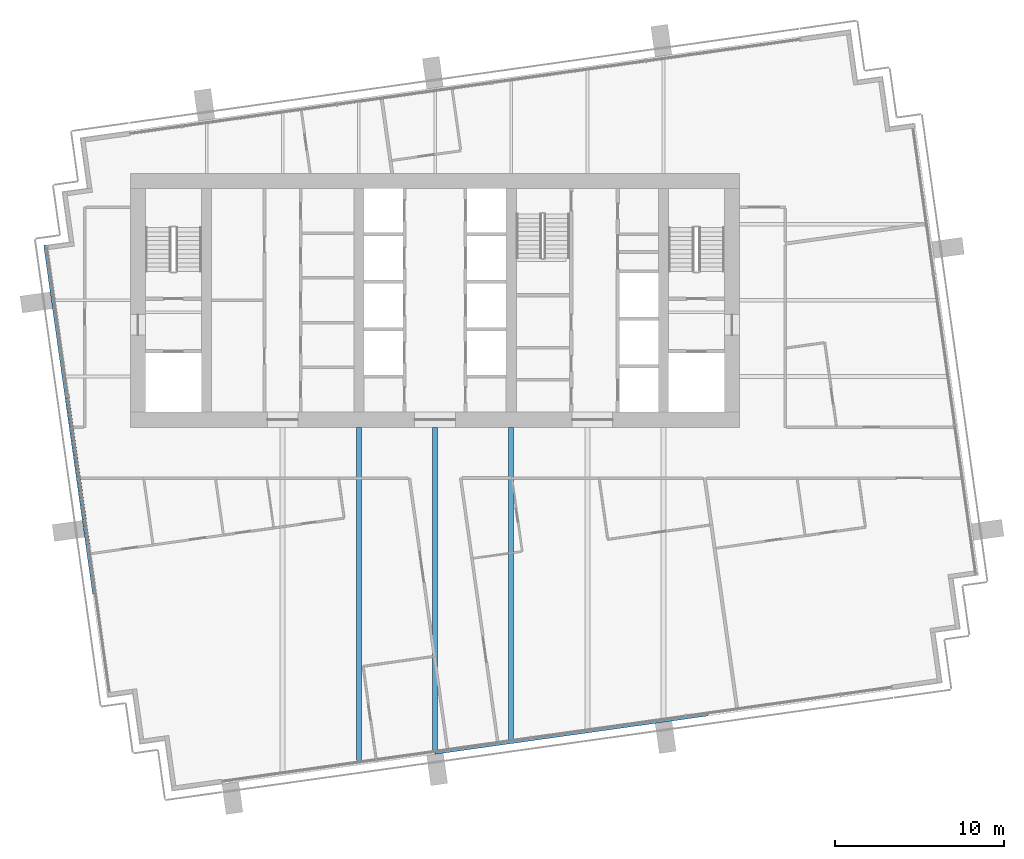
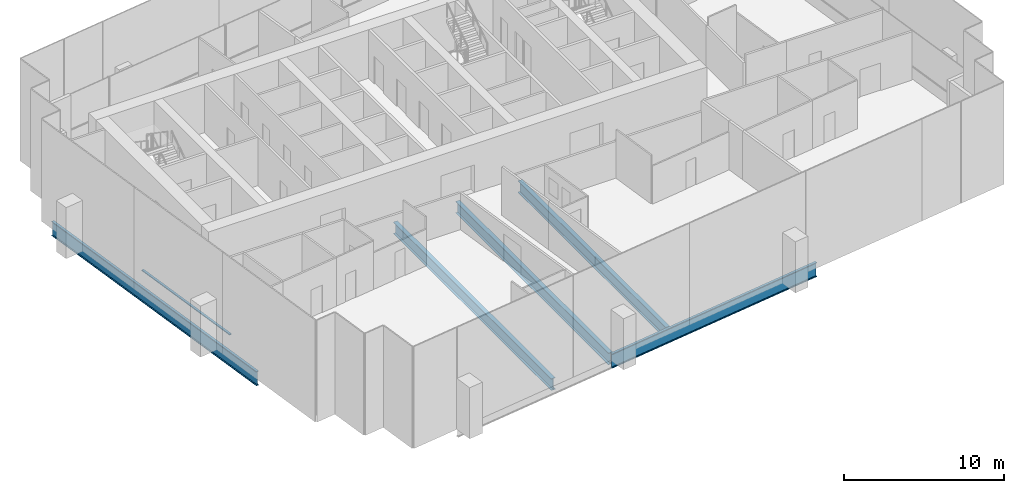
# One storey, part 3 of 17: 5 beams, 1 member, 1 element without a shape of its own.
"""IFC4 building model written with IfcOpenShell, lengths in metres."""

from ifc_helpers import new_model, si_unit, direction, frame, origin, origin_2d, place, context, subcontext, project, spatial, rectangle, i_section, extrude, material, layer, layer_set, material_profile, profile_set, type_object, element, aggregate, save


model = new_model("IFC4")

# Units and contexts
model_context = context("Model", 3, precision=1e-05, world=origin(), true_north=direction((0.0, 1.0)))
body_context = subcontext(model_context, "Body", "Model", "MODEL_VIEW")
ifc_project = project(units=[si_unit("LENGTHUNIT", "METRE"), si_unit("AREAUNIT", "SQUARE_METRE"), si_unit("VOLUMEUNIT", "CUBIC_METRE"), si_unit("PLANEANGLEUNIT", "RADIAN"), si_unit("MASSUNIT", "GRAM", prefix="KILO")], contexts=[model_context])

# Site, building, storey
site_placement = place(None, origin())
site = spatial("IfcSite", under=ifc_project, at=site_placement, CompositionType="ELEMENT")
building_placement = place(site_placement, origin())
building = spatial("IfcBuilding", under=site, at=building_placement, Name="Rattan Terrace Tower", CompositionType="ELEMENT")
storey_placement = place(building_placement, frame((0.0, 0.0, 225.199951171875)))
storey = spatial("IfcBuildingStorey", under=building, at=storey_placement, Name="L51", CompositionType="ELEMENT", Elevation=225.199951171875)

# Beams
ifc_material_1 = material(Name="Steel S460", Category="steel")
ifc_material_profile_1 = material_profile(ifc_material_1, i_section(OverallWidth=0.179931640625, OverallDepth=1.10009765625, WebThickness=0.01611328125, FlangeThickness=0.050048828125, at=origin_2d()), Name="PG 1100x180-16-50")
ifc_profile_set_1 = profile_set([ifc_material_profile_1], Name="Steel S460")
beam_type_1 = type_object("IfcBeamType", Name="Frame edge girder PG 1100x180-16-50", PredefinedType="SPANDREL", material=ifc_profile_set_1)
beam_1_placement = place(storey_placement, frame((16.0859375, -24.472900390625, -0.75), z_axis=(-0.990262693422, -0.139211342989, 0.0), x_axis=(0.139211342989, -0.990262693422, 0.0)))
element("IfcBeam", 1, at=beam_1_placement, inside=storey, type_object=beam_type_1, Name="gdr-L51-002", PredefinedType="SPANDREL", context=body_context, shape_type="SweptSolid", body=[
    extrude(i_section(OverallWidth=0.179931640625, OverallDepth=1.10009765625, WebThickness=0.01611328125, FlangeThickness=0.050048828125, at=origin_2d()), origin(), (0.0, 0.0, 1.0), 16.257080078125),
])
beam_2_placement = place(storey_placement, frame((-20.14111328125, -17.347900390625, -0.75), z_axis=(-0.139141602152, 0.9902724951, 0.0), x_axis=(-0.9902724951, -0.139141602152, 0.0)))
element("IfcBeam", 2, at=beam_2_placement, inside=storey, type_object=beam_type_1, Name="gdr-L51-003", PredefinedType="SPANDREL", context=body_context, shape_type="SweptSolid", body=[
    extrude(i_section(OverallWidth=0.179931640625, OverallDepth=1.10009765625, WebThickness=0.01611328125, FlangeThickness=0.050048828125, at=origin_2d()), origin(), (0.0, 0.0, 1.0), 20.813232421875),
])
ifc_material_2 = material(Name="Steel S355", Category="steel")
ifc_material_profile_2 = material_profile(ifc_material_2, i_section(OverallWidth=0.300048828125, OverallDepth=0.89990234375, WebThickness=0.0185546875, FlangeThickness=0.034912109375, FilletRadius=0.030029296875, at=origin_2d()), Name="HE 900 B")
ifc_profile_set_2 = profile_set([ifc_material_profile_2], Name="Steel S355")
beam_type_2 = type_object("IfcBeamType", Name="Frame floor beam HE 900 B", PredefinedType="JOIST", material=ifc_profile_set_2)
beam_3_placement = place(storey_placement, frame((4.5, -25.989990234375, -0.64990234375), z_axis=(0.0, 1.0, 0.0), x_axis=(-1.0, 0.0, 0.0)))
element("IfcBeam", 3, at=beam_3_placement, inside=storey, type_object=beam_type_2, Name="bm-L51-006", PredefinedType="JOIST", context=body_context, shape_type="SweptSolid", body=[
    extrude(i_section(OverallWidth=0.300048828125, OverallDepth=0.89990234375, WebThickness=0.0185546875, FlangeThickness=0.034912109375, FilletRadius=0.030029296875, at=origin_2d()), origin(), (0.0, 0.0, 1.0), 18.489990234375),
])
ifc_material_3 = material(Name="Steel S460", Category="steel")
ifc_material_profile_3 = material_profile(ifc_material_3, i_section(OverallWidth=0.300048828125, OverallDepth=0.89990234375, WebThickness=0.013916015625, FlangeThickness=0.035888671875, at=origin_2d()), Name="PG 900x300-14-36")
ifc_profile_set_3 = profile_set([ifc_material_profile_3], Name="Steel S460")
beam_type_3 = type_object("IfcBeamType", Name="Frame floor beam PG 900x300-14-36", PredefinedType="JOIST", material=ifc_profile_set_3)
beam_4_placement = place(storey_placement, frame((-4.5, -27.2548828125, -0.64990234375), z_axis=(0.0, 1.0, 0.0), x_axis=(-1.0, 0.0, 0.0)))
element("IfcBeam", 4, at=beam_4_placement, inside=storey, type_object=beam_type_3, Name="bm-L51-004", PredefinedType="JOIST", context=body_context, shape_type="SweptSolid", body=[
    extrude(i_section(OverallWidth=0.300048828125, OverallDepth=0.89990234375, WebThickness=0.013916015625, FlangeThickness=0.035888671875, at=origin_2d()), origin(), (0.0, 0.0, 1.0), 19.7548828125),
])
beam_5_placement = place(storey_placement, frame((0.0, -26.6220703125, -0.64990234375), z_axis=(0.0, 1.0, 0.0), x_axis=(-1.0, 0.0, 0.0)))
element("IfcBeam", 5, at=beam_5_placement, inside=storey, type_object=beam_type_3, Name="bm-L51-005", PredefinedType="JOIST", context=body_context, shape_type="SweptSolid", body=[
    extrude(i_section(OverallWidth=0.300048828125, OverallDepth=0.89990234375, WebThickness=0.013916015625, FlangeThickness=0.035888671875, at=origin_2d()), origin(), (0.0, 0.0, 1.0), 19.1220703125),
])

# Curtain wall, member
ifc_material_4 = material(Name="Aluminium and laminated glass", Category="aluminium")
ifc_layer = layer(ifc_material_4, 0.199951171875)
ifc_layer_set = layer_set([ifc_layer], Name="High-Zone Unitised Curtain Wall")
curtain_wall_type = type_object("IfcCurtainWallType", Name="High-Zone Unitised Curtain Wall", PredefinedType="NOTDEFINED", material=ifc_layer_set)
curtain_wall_placement = place(storey_placement, origin())
curtain_wall = element("IfcCurtainWall", 6, at=curtain_wall_placement, inside=storey, type_object=curtain_wall_type, Name="High-zone curtain wall L51-3", PredefinedType="NOTDEFINED")
ifc_material_5 = material(Name="Aluminium", Category="aluminium")
ifc_material_profile_4 = material_profile(ifc_material_5, rectangle(XDim=0.159912109375, YDim=0.070068359375, at=origin_2d()), Name="Aluminium 160x70")
ifc_profile_set_4 = profile_set([ifc_material_profile_4], Name="Aluminium")
member_type = type_object("IfcMemberType", Name="High-Zone CW Transom 160x70", PredefinedType="USERDEFINED", material=ifc_profile_set_4)
member_placement = place(storey_placement, frame((-21.7001953125, -5.67333984375, 1.0), z_axis=(0.139185713085, -0.990266296141, 0.0), x_axis=(0.990266296141, 0.139185713085, 0.0)))
member = element("IfcMember", 7, at=member_placement, type_object=member_type, Name="Transom cwl-L51-003.2", ObjectType="TRANSOM", PredefinedType="USERDEFINED", context=body_context, shape_type="SweptSolid", body=[
    extrude(rectangle(XDim=0.159912109375, YDim=0.070068359375, at=origin_2d()), origin(), (0.0, 0.0, 1.0), 8.929931640625),
])
aggregate(curtain_wall, [member])

save(model, "model.ifc")
